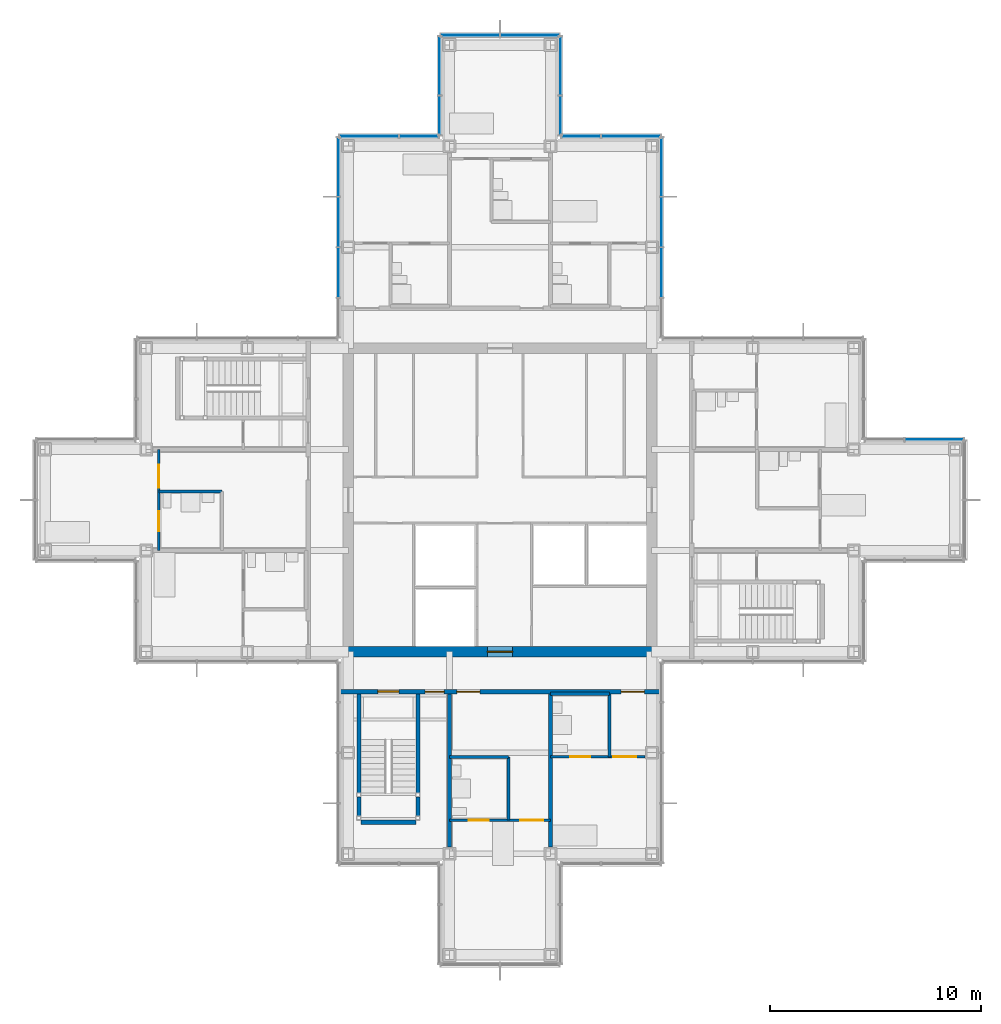
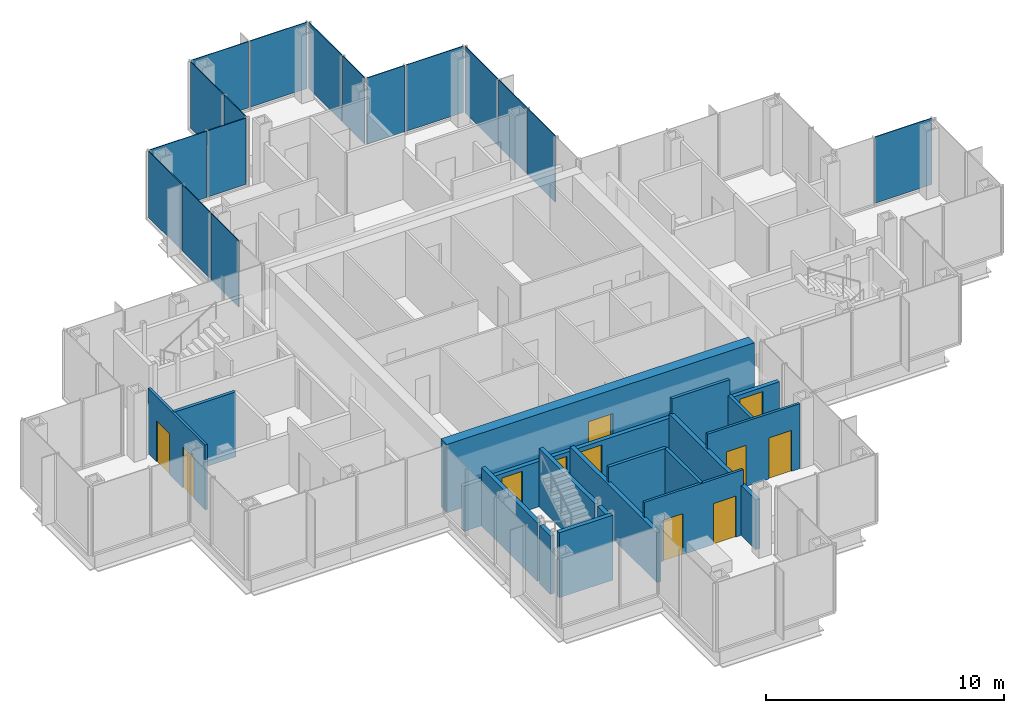
# One storey, part 11 of 17: 17 plates, 17 walls, 11 doors, 11 openings, 8 elements without a shape of their own.
"""IFC4 building model written with IfcOpenShell, lengths in metres."""

from ifc_helpers import new_model, si_unit, direction, frame, frame_2d, origin, origin_2d, place, context, subcontext, project, spatial, rectangle, extrude, material, layer, layer_set, type_object, element, fill, aggregate, save


model = new_model("IFC4")

# Units and contexts
model_context = context("Model", 3, precision=1e-05, world=origin(), true_north=direction((0.0, 1.0)))
body_context = subcontext(model_context, "Body", "Model", "MODEL_VIEW")
ifc_project = project(units=[si_unit("LENGTHUNIT", "METRE"), si_unit("AREAUNIT", "SQUARE_METRE"), si_unit("VOLUMEUNIT", "CUBIC_METRE"), si_unit("PLANEANGLEUNIT", "RADIAN"), si_unit("MASSUNIT", "GRAM", prefix="KILO")], contexts=[model_context])

# Site, building, storey
site_placement = place(None, origin())
site = spatial("IfcSite", under=ifc_project, at=site_placement, CompositionType="ELEMENT")
building_placement = place(site_placement, origin())
building = spatial("IfcBuilding", under=site, at=building_placement, Name="Kvirike Care Tower", CompositionType="ELEMENT")
storey_placement = place(building_placement, frame((0.0, 0.0, 176.0)))
storey = spatial("IfcBuildingStorey", under=building, at=storey_placement, Name="L48", CompositionType="ELEMENT", Elevation=176.0)

# Curtain wall, plate
ifc_material_1 = material(Name="Anodised aluminium stick system", Category="aluminium")
curtain_wall_type = type_object("IfcCurtainWallType", Name="CW-C STICK CURTAIN WALL", PredefinedType="NOTDEFINED", material=ifc_material_1)
curtain_wall_1_placement = place(storey_placement, origin())
curtain_wall_1 = element("IfcCurtainWall", 1, at=curtain_wall_1_placement, inside=storey, type_object=curtain_wall_type, Name="Curtain wall L48 face 5", PredefinedType="NOTDEFINED")
ifc_material_2 = material(Name="Tinted double glazed unit", Category="glass")
ifc_layer_1 = layer(ifc_material_2, 0.0400390625)
ifc_layer_set_1 = layer_set([ifc_layer_1], Name="TINTED VISION PANEL 40")
plate_type = type_object("IfcPlateType", Name="TINTED VISION PANEL 40", PredefinedType="CURTAIN_PANEL", material=ifc_layer_set_1)
plate_1_placement = place(storey_placement, frame((42.21875, 38.8701171875, 0.10009765625), z_axis=(0.0, 0.0, 1.0), x_axis=(-1.0, 0.0, 0.0)))
plate_1 = element("IfcPlate", 2, at=plate_1_placement, type_object=plate_type, Name="CW-C panel L48 face 5.1", PredefinedType="CURTAIN_PANEL", context=body_context, shape_type="SweptSolid", body=[
    extrude(rectangle(XDim=2.7724609375, YDim=0.0400390625, at=origin_2d()), origin(), (0.0, 0.0, 1.0), 3.39990234375),
])
aggregate(curtain_wall_1, [plate_1])

# Curtain wall, plates
curtain_wall_2_placement = place(storey_placement, origin())
curtain_wall_2 = element("IfcCurtainWall", 3, at=curtain_wall_2_placement, inside=storey, type_object=curtain_wall_type, Name="Curtain wall L48 face 8", PredefinedType="NOTDEFINED")
plate_2_placement = place(storey_placement, frame((29.27001953125, 46.800048828125, 0.10009765625), z_axis=(0.0, 0.0, 1.0), x_axis=(0.0, 1.0, 0.0)))
plate_2 = element("IfcPlate", 4, at=plate_2_placement, type_object=plate_type, Name="CW-C panel L48 face 8.2", PredefinedType="CURTAIN_PANEL", context=body_context, shape_type="SweptSolid", body=[
    extrude(rectangle(XDim=2.3349609375, YDim=0.0400390625, at=origin_2d()), origin(), (0.0, 0.0, 1.0), 3.39990234375),
])
plate_3_placement = place(storey_placement, frame((29.27001953125, 49.199951171875, 0.10009765625), z_axis=(0.0, 0.0, 1.0), x_axis=(0.0, 1.0, 0.0)))
plate_3 = element("IfcPlate", 5, at=plate_3_placement, type_object=plate_type, Name="CW-C panel L48 face 8.3", PredefinedType="CURTAIN_PANEL", context=body_context, shape_type="SweptSolid", body=[
    extrude(rectangle(XDim=2.3349609375, YDim=0.0400390625, at=origin_2d()), origin(), (0.0, 0.0, 1.0), 3.39990234375),
])
plate_4_placement = place(storey_placement, frame((29.27001953125, 51.81884765625, 0.10009765625), z_axis=(0.0, 0.0, 1.0), x_axis=(0.0, 1.0, 0.0)))
plate_4 = element("IfcPlate", 6, at=plate_4_placement, type_object=plate_type, Name="CW-C panel L48 face 8.4", PredefinedType="CURTAIN_PANEL", context=body_context, shape_type="SweptSolid", body=[
    extrude(rectangle(XDim=2.7724609375, YDim=0.0400390625, at=origin_2d()), origin(), (0.0, 0.0, 1.0), 3.39990234375),
])
aggregate(curtain_wall_2, [plate_2, plate_3, plate_4])

curtain_wall_3_placement = place(storey_placement, origin())
curtain_wall_3 = element("IfcCurtainWall", 7, at=curtain_wall_3_placement, inside=storey, type_object=curtain_wall_type, Name="Curtain wall L48 face 9", PredefinedType="NOTDEFINED")
plate_5_placement = place(storey_placement, frame((27.81884765625, 53.27001953125, 0.10009765625), z_axis=(0.0, 0.0, 1.0), x_axis=(-1.0, 0.0, 0.0)))
plate_5 = element("IfcPlate", 8, at=plate_5_placement, type_object=plate_type, Name="CW-C panel L48 face 9.1", PredefinedType="CURTAIN_PANEL", context=body_context, shape_type="SweptSolid", body=[
    extrude(rectangle(XDim=2.7724609375, YDim=0.0400390625, at=origin_2d()), origin(), (0.0, 0.0, 1.0), 3.39990234375),
])
plate_6_placement = place(storey_placement, frame((25.451171875, 53.27001953125, 0.10009765625), z_axis=(0.0, 0.0, 1.0), x_axis=(-1.0, 0.0, 0.0)))
plate_6 = element("IfcPlate", 9, at=plate_6_placement, type_object=plate_type, Name="CW-C panel L48 face 9.2", PredefinedType="CURTAIN_PANEL", context=body_context, shape_type="SweptSolid", body=[
    extrude(rectangle(XDim=1.83251953125, YDim=0.0400390625, at=origin_2d()), origin(), (0.0, 0.0, 1.0), 3.39990234375),
])
aggregate(curtain_wall_3, [plate_5, plate_6])

curtain_wall_4_placement = place(storey_placement, origin())
curtain_wall_4 = element("IfcCurtainWall", 10, at=curtain_wall_4_placement, inside=storey, type_object=curtain_wall_type, Name="Curtain wall L48 face 10", PredefinedType="NOTDEFINED")
plate_7_placement = place(storey_placement, frame((24.469970703125, 54.251220703125, 0.10009765625), z_axis=(0.0, 0.0, 1.0), x_axis=(0.0, 1.0, 0.0)))
plate_7 = element("IfcPlate", 11, at=plate_7_placement, type_object=plate_type, Name="CW-C panel L48 face 10.1", PredefinedType="CURTAIN_PANEL", context=body_context, shape_type="SweptSolid", body=[
    extrude(rectangle(XDim=1.83251953125, YDim=0.0400390625, at=origin_2d()), origin(), (0.0, 0.0, 1.0), 3.39990234375),
])
plate_8_placement = place(storey_placement, frame((24.469970703125, 56.61865234375, 0.10009765625), z_axis=(0.0, 0.0, 1.0), x_axis=(0.0, 1.0, 0.0)))
plate_8 = element("IfcPlate", 12, at=plate_8_placement, type_object=plate_type, Name="CW-C panel L48 face 10.2", PredefinedType="CURTAIN_PANEL", context=body_context, shape_type="SweptSolid", body=[
    extrude(rectangle(XDim=2.7724609375, YDim=0.0400390625, at=origin_2d()), origin(), (0.0, 0.0, 1.0), 3.39990234375),
])
aggregate(curtain_wall_4, [plate_7, plate_8])

curtain_wall_5_placement = place(storey_placement, origin())
curtain_wall_5 = element("IfcCurtainWall", 13, at=curtain_wall_5_placement, inside=storey, type_object=curtain_wall_type, Name="Curtain wall L48 face 11", PredefinedType="NOTDEFINED")
plate_9_placement = place(storey_placement, frame((23.018798828125, 58.070068359375, 0.10009765625), z_axis=(0.0, 0.0, 1.0), x_axis=(-1.0, 0.0, 0.0)))
plate_9 = element("IfcPlate", 14, at=plate_9_placement, type_object=plate_type, Name="CW-C panel L48 face 11.1", PredefinedType="CURTAIN_PANEL", context=body_context, shape_type="SweptSolid", body=[
    extrude(rectangle(XDim=2.7724609375, YDim=0.0400390625, at=origin_2d()), origin(), (0.0, 0.0, 1.0), 3.39990234375),
])
plate_10_placement = place(storey_placement, frame((20.18115234375, 58.070068359375, 0.10009765625), z_axis=(0.0, 0.0, 1.0), x_axis=(-1.0, 0.0, 0.0)))
plate_10 = element("IfcPlate", 15, at=plate_10_placement, type_object=plate_type, Name="CW-C panel L48 face 11.2", PredefinedType="CURTAIN_PANEL", context=body_context, shape_type="SweptSolid", body=[
    extrude(rectangle(XDim=2.7724609375, YDim=0.0400390625, at=origin_2d()), origin(), (0.0, 0.0, 1.0), 3.39990234375),
])
aggregate(curtain_wall_5, [plate_9, plate_10])

curtain_wall_6_placement = place(storey_placement, origin())
curtain_wall_6 = element("IfcCurtainWall", 16, at=curtain_wall_6_placement, inside=storey, type_object=curtain_wall_type, Name="Curtain wall L48 face 12", PredefinedType="NOTDEFINED")
plate_11_placement = place(storey_placement, frame((18.72998046875, 56.61865234375, 0.10009765625), z_axis=(0.0, 0.0, 1.0), x_axis=(0.0, -1.0, 0.0)))
plate_11 = element("IfcPlate", 17, at=plate_11_placement, type_object=plate_type, Name="CW-C panel L48 face 12.1", PredefinedType="CURTAIN_PANEL", context=body_context, shape_type="SweptSolid", body=[
    extrude(rectangle(XDim=2.7724609375, YDim=0.0400390625, at=origin_2d()), origin(), (0.0, 0.0, 1.0), 3.39990234375),
])
plate_12_placement = place(storey_placement, frame((18.72998046875, 54.251220703125, 0.10009765625), z_axis=(0.0, 0.0, 1.0), x_axis=(0.0, -1.0, 0.0)))
plate_12 = element("IfcPlate", 18, at=plate_12_placement, type_object=plate_type, Name="CW-C panel L48 face 12.2", PredefinedType="CURTAIN_PANEL", context=body_context, shape_type="SweptSolid", body=[
    extrude(rectangle(XDim=1.83251953125, YDim=0.0400390625, at=origin_2d()), origin(), (0.0, 0.0, 1.0), 3.39990234375),
])
aggregate(curtain_wall_6, [plate_11, plate_12])

curtain_wall_7_placement = place(storey_placement, origin())
curtain_wall_7 = element("IfcCurtainWall", 19, at=curtain_wall_7_placement, inside=storey, type_object=curtain_wall_type, Name="Curtain wall L48 face 13", PredefinedType="NOTDEFINED")
plate_13_placement = place(storey_placement, frame((17.748779296875, 53.27001953125, 0.10009765625), z_axis=(0.0, 0.0, 1.0), x_axis=(-1.0, 0.0, 0.0)))
plate_13 = element("IfcPlate", 20, at=plate_13_placement, type_object=plate_type, Name="CW-C panel L48 face 13.1", PredefinedType="CURTAIN_PANEL", context=body_context, shape_type="SweptSolid", body=[
    extrude(rectangle(XDim=1.83251953125, YDim=0.0400390625, at=origin_2d()), origin(), (0.0, 0.0, 1.0), 3.39990234375),
])
plate_14_placement = place(storey_placement, frame((15.38134765625, 53.27001953125, 0.10009765625), z_axis=(0.0, 0.0, 1.0), x_axis=(-1.0, 0.0, 0.0)))
plate_14 = element("IfcPlate", 21, at=plate_14_placement, type_object=plate_type, Name="CW-C panel L48 face 13.2", PredefinedType="CURTAIN_PANEL", context=body_context, shape_type="SweptSolid", body=[
    extrude(rectangle(XDim=2.7724609375, YDim=0.0400390625, at=origin_2d()), origin(), (0.0, 0.0, 1.0), 3.39990234375),
])
aggregate(curtain_wall_7, [plate_13, plate_14])

curtain_wall_8_placement = place(storey_placement, origin())
curtain_wall_8 = element("IfcCurtainWall", 22, at=curtain_wall_8_placement, inside=storey, type_object=curtain_wall_type, Name="Curtain wall L48 face 14", PredefinedType="NOTDEFINED")
plate_15_placement = place(storey_placement, frame((13.929931640625, 51.81884765625, 0.10009765625), z_axis=(0.0, 0.0, 1.0), x_axis=(0.0, -1.0, 0.0)))
plate_15 = element("IfcPlate", 23, at=plate_15_placement, type_object=plate_type, Name="CW-C panel L48 face 14.1", PredefinedType="CURTAIN_PANEL", context=body_context, shape_type="SweptSolid", body=[
    extrude(rectangle(XDim=2.7724609375, YDim=0.0400390625, at=origin_2d()), origin(), (0.0, 0.0, 1.0), 3.39990234375),
])
plate_16_placement = place(storey_placement, frame((13.929931640625, 49.199951171875, 0.10009765625), z_axis=(0.0, 0.0, 1.0), x_axis=(0.0, -1.0, 0.0)))
plate_16 = element("IfcPlate", 24, at=plate_16_placement, type_object=plate_type, Name="CW-C panel L48 face 14.2", PredefinedType="CURTAIN_PANEL", context=body_context, shape_type="SweptSolid", body=[
    extrude(rectangle(XDim=2.3349609375, YDim=0.0400390625, at=origin_2d()), origin(), (0.0, 0.0, 1.0), 3.39990234375),
])
plate_17_placement = place(storey_placement, frame((13.929931640625, 46.800048828125, 0.10009765625), z_axis=(0.0, 0.0, 1.0), x_axis=(0.0, -1.0, 0.0)))
plate_17 = element("IfcPlate", 25, at=plate_17_placement, type_object=plate_type, Name="CW-C panel L48 face 14.3", PredefinedType="CURTAIN_PANEL", context=body_context, shape_type="SweptSolid", body=[
    extrude(rectangle(XDim=2.3349609375, YDim=0.0400390625, at=origin_2d()), origin(), (0.0, 0.0, 1.0), 3.39990234375),
])
aggregate(curtain_wall_8, [plate_15, plate_16, plate_17])

# Walls
ifc_material_3 = material(Name="Moisture-resistant board partition", Category="gypsum")
ifc_layer_2 = layer(ifc_material_3, 0.14990234375)
ifc_layer_set_2 = layer_set([ifc_layer_2], Name="BATHROOM WALL 150")
wall_type_1 = type_object("IfcWallType", Name="BATHROOM WALL 150", PredefinedType="PARTITIONING", material=ifc_layer_set_2)
for number, where, z_axis, x_axis, name in (
    (26, (5.39990234375, 36.39990234375, 0.0), (0.0, 0.0, 1.0), (1.0, 0.0, 0.0), "Bathroom Wall 150 L48"),
    (27, (22.0, 20.800048828125, 0.0), (0.0, 0.0, 1.0), (0.0, 1.0, 0.0), "Bathroom Wall 150 L48"),
):
    element("IfcWall", number, at=place(storey_placement, frame(where, z_axis=z_axis, x_axis=x_axis)), inside=storey, type_object=wall_type_1, Name=name, PredefinedType="PARTITIONING", context=body_context, shape_type="SweptSolid", body=[
        extrude(rectangle(XDim=3.0, YDim=0.14990234375, at=frame_2d((1.5, 0.0))), origin(), (0.0, 0.0, 1.0), 3.330078125),
    ])
wall_1_placement = place(storey_placement, frame((19.199951171875, 23.800048828125, 0.0), z_axis=(0.0, 0.0, 1.0), x_axis=(1.0, 0.0, 0.0)))
element("IfcWall", 28, at=wall_1_placement, inside=storey, type_object=wall_type_1, Name="Bathroom Wall 150 L48", PredefinedType="PARTITIONING", context=body_context, shape_type="SweptSolid", body=[
    extrude(rectangle(XDim=2.800048828125, YDim=0.14990234375, at=frame_2d((1.39990234375, 0.0))), origin(), (0.0, 0.0, 1.0), 3.330078125),
])
wall_2_placement = place(storey_placement, frame((26.800048828125, 23.800048828125, 0.0), z_axis=(0.0, 0.0, 1.0), x_axis=(0.0, 1.0, 0.0)))
element("IfcWall", 29, at=wall_2_placement, inside=storey, type_object=wall_type_1, Name="Bathroom Wall 150 L48", PredefinedType="PARTITIONING", context=body_context, shape_type="SweptSolid", body=[
    extrude(rectangle(XDim=3.0, YDim=0.14990234375, at=frame_2d((1.5, 0.0))), origin(), (0.0, 0.0, 1.0), 2.550048828125),
])
wall_3_placement = place(storey_placement, frame((24.0, 26.800048828125, 0.0), z_axis=(0.0, 0.0, 1.0), x_axis=(1.0, 0.0, 0.0)))
element("IfcWall", 30, at=wall_3_placement, inside=storey, type_object=wall_type_1, Name="Bathroom Wall 150 L48", PredefinedType="PARTITIONING", context=body_context, shape_type="SweptSolid", body=[
    extrude(rectangle(XDim=2.800048828125, YDim=0.14990234375, at=frame_2d((1.39990234375, 0.0))), origin(), (0.0, 0.0, 1.0), 3.330078125),
])

# Wall, opening, door
ifc_material_4 = material(Name="Concrete C45/55", Category="concrete")
ifc_layer_3 = layer(ifc_material_4, 0.5)
ifc_layer_set_3 = layer_set([ifc_layer_3], Name="CORE WALL 500 C45-55")
wall_type_2 = type_object("IfcWallType", Name="CORE WALL 500 C45-55", PredefinedType="SHEAR", material=ifc_layer_set_3)
wall_4_placement = place(storey_placement, frame((14.14990234375, 28.800048828125, -0.169921875), z_axis=(0.0, 0.0, 1.0), x_axis=(1.0, 0.0, 0.0)))
wall_4 = element("IfcWall", 31, at=wall_4_placement, inside=storey, type_object=wall_type_2, Name="Core wall S L48", PredefinedType="SHEAR", context=body_context, shape_type="SweptSolid", body=[
    extrude(rectangle(XDim=14.900146484375, YDim=0.5, at=frame_2d((7.4501953125, 0.0))), origin(), (0.0, 0.0, 1.0), 3.5),
])
opening_1_placement = place(wall_4_placement, frame((6.85009765625, 0.0, 0.169921875)))
opening_1 = element("IfcOpeningElement", 32, at=opening_1_placement, cuts=wall_4, Name="Opening 48-049", PredefinedType="OPENING", context=body_context, shape_type="SweptSolid", body=[
    extrude(rectangle(XDim=1.199951171875, YDim=2.10009765625, at=frame_2d((0.60009765625, 1.050048828125))), frame((0.0, 0.260498046875, 0.0), z_axis=(0.0, -1.0, 0.0), x_axis=(1.0, 0.0, 0.0)), (0.0, 0.0, 1.0), 0.52099609375),
])
ifc_material_5 = material(Name="Timber door set", Category="wood")
door_type_1 = type_object("IfcDoorType", Name="CORE DOOR 1200", OperationType="SINGLE_SWING_LEFT", PredefinedType="DOOR", material=ifc_material_5)
door_1_placement = place(opening_1_placement, origin())
door_1 = element("IfcDoor", 33, at=door_1_placement, inside=storey, type_object=door_type_1, Name="Core door S L48", OperationType="SINGLE_SWING_LEFT", OverallHeight=2.10009765625, OverallWidth=1.199951171875, PredefinedType="DOOR", context=body_context, shape_type="SweptSolid", body=[
    extrude(rectangle(XDim=1.199951171875, YDim=2.10009765625, at=frame_2d((0.60009765625, 1.050048828125))), frame((0.0, 0.02685546875, 0.0), z_axis=(0.0, -1.0, 0.0), x_axis=(1.0, 0.0, 0.0)), (0.0, 0.0, 1.0), 0.053955078125),
])
fill(opening_1, door_1)

# Wall, openings, doors
ifc_material_6 = material(Name="Plasterboard corridor wall", Category="gypsum")
ifc_layer_4 = layer(ifc_material_6, 0.199951171875)
ifc_layer_set_4 = layer_set([ifc_layer_4], Name="CORRIDOR WALL 200")
wall_type_3 = type_object("IfcWallType", Name="CORRIDOR WALL 200", PredefinedType="PARTITIONING", material=ifc_layer_set_4)
wall_5_placement = place(storey_placement, frame((13.949951171875, 26.89990234375, 0.0), z_axis=(0.0, 0.0, 1.0), x_axis=(1.0, 0.0, 0.0)))
wall_5 = element("IfcWall", 34, at=wall_5_placement, inside=storey, type_object=wall_type_3, Name="Corridor Wall 200 L48", PredefinedType="PARTITIONING", context=body_context, shape_type="SweptSolid", body=[
    extrude(rectangle(XDim=15.300048828125, YDim=0.199951171875, at=frame_2d((7.64990234375, 0.0))), origin(), (0.0, 0.0, 1.0), 2.320068359375),
])
opening_2_placement = place(wall_5_placement, frame((1.85009765625, 0.0, 0.0)))
opening_2 = element("IfcOpeningElement", 35, at=opening_2_placement, cuts=wall_5, Name="Opening 48-014", PredefinedType="OPENING", context=body_context, shape_type="SweptSolid", body=[
    extrude(rectangle(XDim=1.0, YDim=2.10009765625, at=frame_2d((0.5, 1.050048828125))), frame((0.0, 0.110595703125, 0.0), z_axis=(0.0, -1.0, 0.0), x_axis=(1.0, 0.0, 0.0)), (0.0, 0.0, 1.0), 0.220947265625),
])
opening_3_placement = place(wall_5_placement, frame((4.10009765625, 0.0, 0.0)))
opening_3 = element("IfcOpeningElement", 36, at=opening_3_placement, cuts=wall_5, Name="Opening 48-015", PredefinedType="OPENING", context=body_context, shape_type="SweptSolid", body=[
    extrude(rectangle(XDim=0.89990234375, YDim=2.10009765625, at=frame_2d((0.449951171875, 1.050048828125))), frame((0.0, 0.110595703125, 0.0), z_axis=(0.0, -1.0, 0.0), x_axis=(1.0, 0.0, 0.0)), (0.0, 0.0, 1.0), 0.220947265625),
])
opening_4_placement = place(wall_5_placement, frame((5.60009765625, 0.0, 0.0)))
opening_4 = element("IfcOpeningElement", 37, at=opening_4_placement, cuts=wall_5, Name="Opening 48-016", PredefinedType="OPENING", context=body_context, shape_type="SweptSolid", body=[
    extrude(rectangle(XDim=1.10009765625, YDim=2.10009765625, at=frame_2d((0.550048828125, 1.050048828125))), frame((0.0, 0.110595703125, 0.0), z_axis=(0.0, -1.0, 0.0), x_axis=(1.0, 0.0, 0.0)), (0.0, 0.0, 1.0), 0.220947265625),
])
opening_5_placement = place(wall_5_placement, frame((13.39990234375, 0.0, 0.0)))
opening_5 = element("IfcOpeningElement", 38, at=opening_5_placement, cuts=wall_5, Name="Opening 48-017", PredefinedType="OPENING", context=body_context, shape_type="SweptSolid", body=[
    extrude(rectangle(XDim=1.10009765625, YDim=2.10009765625, at=frame_2d((0.550048828125, 1.050048828125))), frame((0.0, 0.110595703125, 0.0), z_axis=(0.0, -1.0, 0.0), x_axis=(1.0, 0.0, 0.0)), (0.0, 0.0, 1.0), 0.220947265625),
])
ifc_material_7 = material(Name="Timber door set", Category="wood")
door_type_2 = type_object("IfcDoorType", Name="BEDROOM ENTRANCE DOOR 1100", OperationType="SINGLE_SWING_LEFT", PredefinedType="DOOR", material=ifc_material_7)
door_2_placement = place(opening_4_placement, frame((1.10009765625, 0.0, 0.0), z_axis=(0.0, 0.0, 1.0), x_axis=(-1.0, 0.0, 0.0)))
door_2 = element("IfcDoor", 39, at=door_2_placement, inside=storey, type_object=door_type_2, Name="Memory care bedroom entrance", OperationType="SINGLE_SWING_LEFT", OverallHeight=2.10009765625, OverallWidth=1.10009765625, PredefinedType="DOOR", context=body_context, shape_type="SweptSolid", body=[
    extrude(rectangle(XDim=1.10009765625, YDim=2.10009765625, at=frame_2d((0.550048828125, 1.050048828125))), frame((0.0, 0.02685546875, 0.0), z_axis=(0.0, -1.0, 0.0), x_axis=(1.0, 0.0, 0.0)), (0.0, 0.0, 1.0), 0.053955078125),
])
fill(opening_4, door_2)
door_3_placement = place(opening_5_placement, frame((1.10009765625, 0.0, 0.0), z_axis=(0.0, 0.0, 1.0), x_axis=(-1.0, 0.0, 0.0)))
door_3 = element("IfcDoor", 40, at=door_3_placement, inside=storey, type_object=door_type_2, Name="Memory care bedroom entrance", OperationType="SINGLE_SWING_RIGHT", OverallHeight=2.10009765625, OverallWidth=1.10009765625, PredefinedType="DOOR", context=body_context, shape_type="SweptSolid", body=[
    extrude(rectangle(XDim=1.10009765625, YDim=2.10009765625, at=frame_2d((0.550048828125, 1.050048828125))), frame((0.0, 0.02685546875, 0.0), z_axis=(0.0, -1.0, 0.0), x_axis=(1.0, 0.0, 0.0)), (0.0, 0.0, 1.0), 0.053955078125),
])
fill(opening_5, door_3)
ifc_material_8 = material(Name="Timber door set", Category="wood")
door_type_3 = type_object("IfcDoorType", Name="STAIR DOOR 1000", OperationType="SINGLE_SWING_LEFT", PredefinedType="DOOR", material=ifc_material_8)
door_4_placement = place(opening_2_placement, frame((1.0, 0.0, 0.0), z_axis=(0.0, 0.0, 1.0), x_axis=(-1.0, 0.0, 0.0)))
door_4 = element("IfcDoor", 41, at=door_4_placement, inside=storey, type_object=door_type_3, Name="Stair 5 door", OperationType="SINGLE_SWING_LEFT", OverallHeight=2.10009765625, OverallWidth=1.0, PredefinedType="DOOR", context=body_context, shape_type="SweptSolid", body=[
    extrude(rectangle(XDim=1.0, YDim=2.10009765625, at=frame_2d((0.5, 1.050048828125))), frame((0.0, 0.031982421875, 0.0), z_axis=(0.0, -1.0, 0.0), x_axis=(1.0, 0.0, 0.0)), (0.0, 0.0, 1.0), 0.06396484375),
])
fill(opening_2, door_4)
ifc_material_9 = material(Name="Timber door set", Category="wood")
door_type_4 = type_object("IfcDoorType", Name="STORE DOOR 900", OperationType="SINGLE_SWING_LEFT", PredefinedType="DOOR", material=ifc_material_9)
door_5_placement = place(opening_3_placement, frame((0.89990234375, 0.0, 0.0), z_axis=(0.0, 0.0, 1.0), x_axis=(-1.0, 0.0, 0.0)))
door_5 = element("IfcDoor", 42, at=door_5_placement, inside=storey, type_object=door_type_4, Name="Housekeeping room door", OperationType="SINGLE_SWING_LEFT", OverallHeight=2.10009765625, OverallWidth=0.89990234375, PredefinedType="DOOR", context=body_context, shape_type="SweptSolid", body=[
    extrude(rectangle(XDim=0.89990234375, YDim=2.10009765625, at=frame_2d((0.449951171875, 1.050048828125))), frame((0.0, 0.02685546875, 0.0), z_axis=(0.0, -1.0, 0.0), x_axis=(1.0, 0.0, 0.0)), (0.0, 0.0, 1.0), 0.053955078125),
])
fill(opening_3, door_5)

ifc_material_10 = material(Name="Plasterboard partition", Category="gypsum")
ifc_layer_5 = layer(ifc_material_10, 0.1201171875)
ifc_layer_set_5 = layer_set([ifc_layer_5], Name="PARTITION 120")
wall_type_4 = type_object("IfcWallType", Name="PARTITION 120", PredefinedType="PARTITIONING", material=ifc_layer_set_5)
wall_6_placement = place(storey_placement, frame((5.39990234375, 38.39990234375, 0.0), z_axis=(0.0, 0.0, 1.0), x_axis=(0.0, -1.0, 0.0)))
wall_6 = element("IfcWall", 43, at=wall_6_placement, inside=storey, type_object=wall_type_4, Name="Partition 120 L48", PredefinedType="PARTITIONING", context=body_context, shape_type="SweptSolid", body=[
    extrude(rectangle(XDim=4.7998046875, YDim=0.1201171875, at=frame_2d((2.39990234375, 0.0))), origin(), (0.0, 0.0, 1.0), 3.330078125),
])
opening_6_placement = place(wall_6_placement, frame((0.72509765625, 0.0, 0.0)))
opening_6 = element("IfcOpeningElement", 44, at=opening_6_placement, cuts=wall_6, Name="Opening 48-002", PredefinedType="OPENING", context=body_context, shape_type="SweptSolid", body=[
    extrude(rectangle(XDim=1.10009765625, YDim=2.10009765625, at=frame_2d((0.550048828125, 1.050048828125))), frame((0.0, 0.070556640625, 0.0), z_axis=(0.0, -1.0, 0.0), x_axis=(1.0, 0.0, 0.0)), (0.0, 0.0, 1.0), 0.14111328125),
])
opening_7_placement = place(wall_6_placement, frame((2.925048828125, 0.0, 0.0)))
opening_7 = element("IfcOpeningElement", 45, at=opening_7_placement, cuts=wall_6, Name="Opening 48-003", PredefinedType="OPENING", context=body_context, shape_type="SweptSolid", body=[
    extrude(rectangle(XDim=0.949951171875, YDim=2.10009765625, at=frame_2d((0.47509765625, 1.050048828125))), frame((0.0, 0.070556640625, 0.0), z_axis=(0.0, -1.0, 0.0), x_axis=(1.0, 0.0, 0.0)), (0.0, 0.0, 1.0), 0.14111328125),
])
ifc_material_11 = material(Name="Timber door set", Category="wood")
door_type_5 = type_object("IfcDoorType", Name="BEDROOM DOOR 1100", OperationType="SINGLE_SWING_LEFT", PredefinedType="DOOR", material=ifc_material_11)
door_6_placement = place(opening_6_placement, origin())
door_6 = element("IfcDoor", 46, at=door_6_placement, inside=storey, type_object=door_type_5, Name="Memory care bedroom door", OperationType="SINGLE_SWING_LEFT", OverallHeight=2.10009765625, OverallWidth=1.10009765625, PredefinedType="DOOR", context=body_context, shape_type="SweptSolid", body=[
    extrude(rectangle(XDim=1.10009765625, YDim=2.10009765625, at=frame_2d((0.550048828125, 1.050048828125))), frame((0.0, 0.02197265625, 0.0), z_axis=(0.0, -1.0, 0.0), x_axis=(1.0, 0.0, 0.0)), (0.0, 0.0, 1.0), 0.0439453125),
])
fill(opening_6, door_6)
ifc_material_12 = material(Name="Timber door set", Category="wood")
door_type_6 = type_object("IfcDoorType", Name="EN-SUITE SLIDING DOOR 950", OperationType="SLIDING_TO_LEFT", PredefinedType="DOOR", material=ifc_material_12)
door_7_placement = place(opening_7_placement, origin())
door_7 = element("IfcDoor", 47, at=door_7_placement, inside=storey, type_object=door_type_6, Name="En-suite door", OperationType="SLIDING_TO_RIGHT", OverallHeight=2.10009765625, OverallWidth=0.949951171875, PredefinedType="DOOR", context=body_context, shape_type="SweptSolid", body=[
    extrude(rectangle(XDim=0.949951171875, YDim=2.10009765625, at=frame_2d((0.47509765625, 1.050048828125))), frame((0.0, 0.02197265625, 0.0), z_axis=(0.0, -1.0, 0.0), x_axis=(1.0, 0.0, 0.0)), (0.0, 0.0, 1.0), 0.0439453125),
])
fill(opening_7, door_7)

wall_7_placement = place(storey_placement, frame((19.199951171875, 20.800048828125, 0.0), z_axis=(0.0, 0.0, 1.0), x_axis=(1.0, 0.0, 0.0)))
wall_7 = element("IfcWall", 48, at=wall_7_placement, inside=storey, type_object=wall_type_4, Name="Partition 120 L48", PredefinedType="PARTITIONING", context=body_context, shape_type="SweptSolid", body=[
    extrude(rectangle(XDim=4.800048828125, YDim=0.1201171875, at=frame_2d((2.39990234375, 0.0))), origin(), (0.0, 0.0, 1.0), 3.330078125),
])
opening_8_placement = place(wall_7_placement, frame((3.35009765625, 0.0, 0.0)))
opening_8 = element("IfcOpeningElement", 49, at=opening_8_placement, cuts=wall_7, Name="Opening 48-010", PredefinedType="OPENING", context=body_context, shape_type="SweptSolid", body=[
    extrude(rectangle(XDim=1.10009765625, YDim=2.10009765625, at=frame_2d((0.550048828125, 1.050048828125))), frame((0.0, 0.070556640625, 0.0), z_axis=(0.0, -1.0, 0.0), x_axis=(1.0, 0.0, 0.0)), (0.0, 0.0, 1.0), 0.14111328125),
])
opening_9_placement = place(wall_7_placement, frame((0.925048828125, 0.0, 0.0)))
opening_9 = element("IfcOpeningElement", 50, at=opening_9_placement, cuts=wall_7, Name="Opening 48-011", PredefinedType="OPENING", context=body_context, shape_type="SweptSolid", body=[
    extrude(rectangle(XDim=0.949951171875, YDim=2.10009765625, at=frame_2d((0.47509765625, 1.050048828125))), frame((0.0, 0.070556640625, 0.0), z_axis=(0.0, -1.0, 0.0), x_axis=(1.0, 0.0, 0.0)), (0.0, 0.0, 1.0), 0.14111328125),
])
door_8_placement = place(opening_8_placement, origin())
door_8 = element("IfcDoor", 51, at=door_8_placement, inside=storey, type_object=door_type_5, Name="Memory care bedroom door", OperationType="SINGLE_SWING_LEFT", OverallHeight=2.10009765625, OverallWidth=1.10009765625, PredefinedType="DOOR", context=body_context, shape_type="SweptSolid", body=[
    extrude(rectangle(XDim=1.10009765625, YDim=2.10009765625, at=frame_2d((0.550048828125, 1.050048828125))), frame((0.0, 0.02197265625, 0.0), z_axis=(0.0, -1.0, 0.0), x_axis=(1.0, 0.0, 0.0)), (0.0, 0.0, 1.0), 0.0439453125),
])
fill(opening_8, door_8)
door_9_placement = place(opening_9_placement, origin())
door_9 = element("IfcDoor", 52, at=door_9_placement, inside=storey, type_object=door_type_6, Name="En-suite door", OperationType="SLIDING_TO_RIGHT", OverallHeight=2.10009765625, OverallWidth=0.949951171875, PredefinedType="DOOR", context=body_context, shape_type="SweptSolid", body=[
    extrude(rectangle(XDim=0.949951171875, YDim=2.10009765625, at=frame_2d((0.47509765625, 1.050048828125))), frame((0.0, 0.02197265625, 0.0), z_axis=(0.0, -1.0, 0.0), x_axis=(1.0, 0.0, 0.0)), (0.0, 0.0, 1.0), 0.0439453125),
])
fill(opening_9, door_9)

wall_8_placement = place(storey_placement, frame((24.0, 23.800048828125, 0.0), z_axis=(0.0, 0.0, 1.0), x_axis=(1.0, 0.0, 0.0)))
wall_8 = element("IfcWall", 53, at=wall_8_placement, inside=storey, type_object=wall_type_4, Name="Partition 120 L48", PredefinedType="PARTITIONING", context=body_context, shape_type="SweptSolid", body=[
    extrude(rectangle(XDim=4.47998046875, YDim=0.1201171875, at=frame_2d((2.239990234375, 0.0))), origin(), (0.0, 0.0, 1.0), 3.330078125),
])
opening_10_placement = place(wall_8_placement, frame((2.97509765625, 0.0, 0.0)))
opening_10 = element("IfcOpeningElement", 54, at=opening_10_placement, cuts=wall_8, Name="Opening 48-012", PredefinedType="OPENING", context=body_context, shape_type="SweptSolid", body=[
    extrude(rectangle(XDim=1.10009765625, YDim=2.10009765625, at=frame_2d((0.550048828125, 1.050048828125))), frame((0.0, 0.070556640625, 0.0), z_axis=(0.0, -1.0, 0.0), x_axis=(1.0, 0.0, 0.0)), (0.0, 0.0, 1.0), 0.14111328125),
])
opening_11_placement = place(wall_8_placement, frame((0.925048828125, 0.0, 0.0)))
opening_11 = element("IfcOpeningElement", 55, at=opening_11_placement, cuts=wall_8, Name="Opening 48-013", PredefinedType="OPENING", context=body_context, shape_type="SweptSolid", body=[
    extrude(rectangle(XDim=0.949951171875, YDim=2.10009765625, at=frame_2d((0.47509765625, 1.050048828125))), frame((0.0, 0.070556640625, 0.0), z_axis=(0.0, -1.0, 0.0), x_axis=(1.0, 0.0, 0.0)), (0.0, 0.0, 1.0), 0.14111328125),
])
door_10_placement = place(opening_10_placement, origin())
door_10 = element("IfcDoor", 56, at=door_10_placement, inside=storey, type_object=door_type_5, Name="Memory care bedroom door", OperationType="SINGLE_SWING_RIGHT", OverallHeight=2.10009765625, OverallWidth=1.10009765625, PredefinedType="DOOR", context=body_context, shape_type="SweptSolid", body=[
    extrude(rectangle(XDim=1.10009765625, YDim=2.10009765625, at=frame_2d((0.550048828125, 1.050048828125))), frame((0.0, 0.02197265625, 0.0), z_axis=(0.0, -1.0, 0.0), x_axis=(1.0, 0.0, 0.0)), (0.0, 0.0, 1.0), 0.0439453125),
])
fill(opening_10, door_10)
door_11_placement = place(opening_11_placement, origin())
door_11 = element("IfcDoor", 57, at=door_11_placement, inside=storey, type_object=door_type_6, Name="En-suite door", OperationType="SLIDING_TO_RIGHT", OverallHeight=2.10009765625, OverallWidth=0.949951171875, PredefinedType="DOOR", context=body_context, shape_type="SweptSolid", body=[
    extrude(rectangle(XDim=0.949951171875, YDim=2.10009765625, at=frame_2d((0.47509765625, 1.050048828125))), frame((0.0, 0.02197265625, 0.0), z_axis=(0.0, -1.0, 0.0), x_axis=(1.0, 0.0, 0.0)), (0.0, 0.0, 1.0), 0.0439453125),
])
fill(opening_11, door_11)

# Walls
ifc_material_13 = material(Name="Plasterboard party wall", Category="gypsum")
ifc_layer_6 = layer(ifc_material_13, 0.199951171875)
ifc_layer_set_6 = layer_set([ifc_layer_6], Name="PARTY WALL 200")
wall_type_5 = type_object("IfcWallType", Name="PARTY WALL 200", PredefinedType="PARTITIONING", material=ifc_layer_set_6)
for number, where, z_axis, x_axis, name in (
    (58, (19.199951171875, 19.52001953125, 0.0), (0.0, 0.0, 1.0), (0.0, 1.0, 0.0), "Party Wall 200 L48"),
    (59, (24.0, 19.52001953125, 0.0), (0.0, 0.0, 1.0), (0.0, 1.0, 0.0), "Party Wall 200 L48"),
):
    element("IfcWall", number, at=place(storey_placement, frame(where, z_axis=z_axis, x_axis=x_axis)), inside=storey, type_object=wall_type_5, Name=name, PredefinedType="PARTITIONING", context=body_context, shape_type="SweptSolid", body=[
        extrude(rectangle(XDim=7.280029296875, YDim=0.199951171875, at=frame_2d((3.64013671875, 0.0))), origin(), (0.0, 0.0, 1.0), 2.550048828125),
    ])
ifc_material_14 = material(Name="Concrete C40/50", Category="concrete")
ifc_layer_7 = layer(ifc_material_14, 0.199951171875)
ifc_layer_set_7 = layer_set([ifc_layer_7], Name="STAIR WALL 200")
wall_type_6 = type_object("IfcWallType", Name="STAIR WALL 200", PredefinedType="SOLIDWALL", material=ifc_layer_set_7)
wall_9_placement = place(storey_placement, frame((14.89990234375, 21.0, 0.0), z_axis=(0.0, 0.0, 1.0), x_axis=(0.0, 1.0, 0.0)))
element("IfcWall", 60, at=wall_9_placement, inside=storey, type_object=wall_type_6, Name="Stair Wall 200 L48", PredefinedType="SOLIDWALL", context=body_context, shape_type="SweptSolid", body=[
    extrude(rectangle(XDim=0.89990234375, YDim=0.199951171875, at=frame_2d((0.449951171875, 0.0))), origin(), (0.0, 0.0, 1.0), 2.989990234375),
])
wall_10_placement = place(storey_placement, frame((14.89990234375, 22.10009765625, 0.0), z_axis=(0.0, 0.0, 1.0), x_axis=(0.0, 1.0, 0.0)))
element("IfcWall", 61, at=wall_10_placement, inside=storey, type_object=wall_type_6, Name="Stair Wall 200 L48", PredefinedType="SOLIDWALL", context=body_context, shape_type="SweptSolid", body=[
    extrude(rectangle(XDim=4.699951171875, YDim=0.199951171875, at=frame_2d((2.35009765625, 0.0))), origin(), (0.0, 0.0, 1.0), 2.989990234375),
])
wall_11_placement = place(storey_placement, frame((17.699951171875, 21.0, 0.0), z_axis=(0.0, 0.0, 1.0), x_axis=(0.0, 1.0, 0.0)))
element("IfcWall", 62, at=wall_11_placement, inside=storey, type_object=wall_type_6, Name="Stair Wall 200 L48", PredefinedType="SOLIDWALL", context=body_context, shape_type="SweptSolid", body=[
    extrude(rectangle(XDim=0.89990234375, YDim=0.199951171875, at=frame_2d((0.449951171875, 0.0))), origin(), (0.0, 0.0, 1.0), 2.989990234375),
])
wall_12_placement = place(storey_placement, frame((17.699951171875, 22.10009765625, 0.0), z_axis=(0.0, 0.0, 1.0), x_axis=(0.0, 1.0, 0.0)))
element("IfcWall", 63, at=wall_12_placement, inside=storey, type_object=wall_type_6, Name="Stair Wall 200 L48", PredefinedType="SOLIDWALL", context=body_context, shape_type="SweptSolid", body=[
    extrude(rectangle(XDim=4.699951171875, YDim=0.199951171875, at=frame_2d((2.35009765625, 0.0))), origin(), (0.0, 0.0, 1.0), 2.989990234375),
])
wall_13_placement = place(storey_placement, frame((15.0, 20.699951171875, 0.0), z_axis=(0.0, 0.0, 1.0), x_axis=(1.0, 0.0, 0.0)))
element("IfcWall", 64, at=wall_13_placement, inside=storey, type_object=wall_type_6, Name="Stair Wall 200 L48", PredefinedType="SOLIDWALL", context=body_context, shape_type="SweptSolid", body=[
    extrude(rectangle(XDim=2.60009765625, YDim=0.199951171875, at=frame_2d((1.300048828125, 0.0))), origin(), (0.0, 0.0, 1.0), 3.330078125),
])

save(model, "model.ifc")
